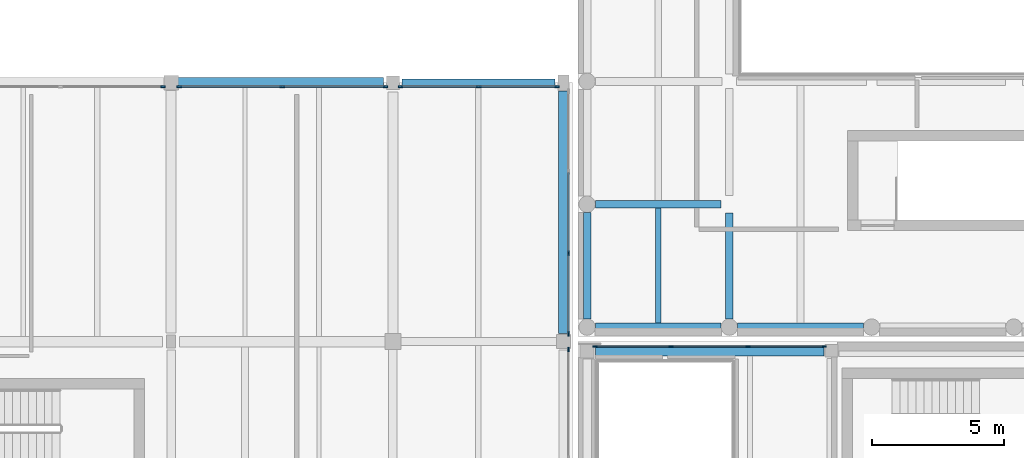
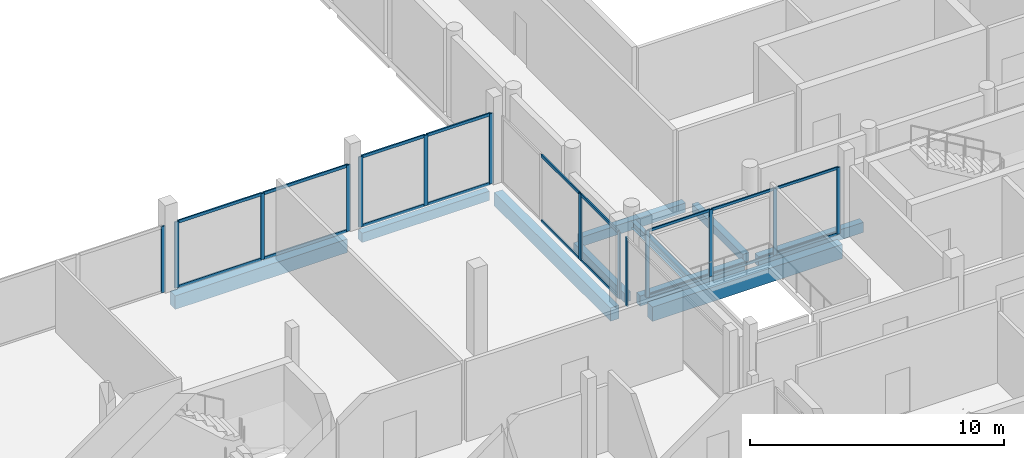
# One storey, part 10 of 66: 32 members, 10 beams, 6 elements without a shape of their own.
"""IFC4 building model written with IfcOpenShell, lengths in metres."""

from ifc_helpers import new_model, si_unit, direction, frame, origin, origin_2d, place, context, subcontext, project, spatial, rectangle, i_section, extrude, material, layer, layer_set, material_profile, profile_set, type_object, element, aggregate, save


model = new_model("IFC4")

# Units and contexts
model_context = context("Model", 3, precision=1e-05, world=origin(), true_north=direction((0.0, 1.0)))
body_context = subcontext(model_context, "Body", "Model", "MODEL_VIEW")
ifc_project = project(units=[si_unit("LENGTHUNIT", "METRE"), si_unit("AREAUNIT", "SQUARE_METRE"), si_unit("VOLUMEUNIT", "CUBIC_METRE"), si_unit("PLANEANGLEUNIT", "RADIAN"), si_unit("MASSUNIT", "GRAM", prefix="KILO")], contexts=[model_context])

# Site, building, storey
site_placement = place(None, origin())
site = spatial("IfcSite", under=ifc_project, at=site_placement, CompositionType="ELEMENT")
building_placement = place(site_placement, origin())
building = spatial("IfcBuilding", under=site, at=building_placement, Name="Birchvale Park Specialist Clinic", CompositionType="ELEMENT")
storey_placement = place(building_placement, frame((0.0, 0.0, 5.39990234375)))
storey = spatial("IfcBuildingStorey", under=building, at=storey_placement, Name="L01", CompositionType="ELEMENT", Elevation=5.39990234375)

# Beams
ifc_material_1 = material(Name="Concrete C40/50", Category="concrete")
ifc_material_profile_1 = material_profile(ifc_material_1, rectangle(XDim=0.39990234375, YDim=0.68994140625, at=origin_2d()), Name="RCB-400x690")
ifc_profile_set_1 = profile_set([ifc_material_profile_1], Name="Concrete C40/50")
beam_type_1 = type_object("IfcBeamType", Name="BM-EXT-BG4", PredefinedType="BEAM", material=ifc_profile_set_1)
beam_1_placement = place(storey_placement, frame((52.465087890625, 34.25, -0.625), z_axis=(1.0, 0.0, 0.0), x_axis=(0.0, 1.0, 0.0)))
element("IfcBeam", 1, at=beam_1_placement, inside=storey, type_object=beam_type_1, Name="V4 L01 X girder 14", PredefinedType="BEAM", context=body_context, shape_type="SweptSolid", body=[
    extrude(rectangle(XDim=0.39990234375, YDim=0.68994140625, at=origin_2d()), origin(), (0.0, 0.0, 1.0), 8.64501953125),
])
ifc_material_profile_2 = material_profile(ifc_material_1, rectangle(XDim=0.3798828125, YDim=0.639892578125, at=origin_2d()), Name="RCB-380x640")
ifc_profile_set_2 = profile_set([ifc_material_profile_2], Name="Concrete C40/50")
beam_type_2 = type_object("IfcBeamType", Name="BM-EXT-BG5", PredefinedType="BEAM", material=ifc_profile_set_2)
beam_2_placement = place(storey_placement, frame((51.25, 34.9150390625, -0.669921875), z_axis=(0.0, 1.0, 0.0), x_axis=(-1.0, 0.0, 0.0)))
element("IfcBeam", 2, at=beam_2_placement, inside=storey, type_object=beam_type_2, Name="V2 L01 Y girder 70", PredefinedType="BEAM", context=body_context, shape_type="SweptSolid", body=[
    extrude(rectangle(XDim=0.3798828125, YDim=0.639892578125, at=origin_2d()), origin(), (0.0, 0.0, 1.0), 9.169921875),
])
ifc_material_profile_3 = material_profile(ifc_material_1, rectangle(XDim=0.300048828125, YDim=0.489990234375, at=origin_2d()), Name="RCB-300x490")
ifc_profile_set_3 = profile_set([ifc_material_profile_3], Name="Concrete C40/50")
beam_type_3 = type_object("IfcBeamType", Name="BM-EXT-BG8", PredefinedType="BEAM", material=ifc_profile_set_3)
for number, where, z_axis, x_axis, name in (
    (3, (52.4599609375, 35.14990234375, -0.56494140625), (1.0, 0.0, 0.0), (0.0, 1.0, 0.0), "V1 L01 X girder 1"),
    (4, (57.845703125, 35.14990234375, -0.56494140625), (1.0, 0.0, 0.0), (0.0, 1.0, 0.0), "V1 L01 X girder 2"),
):
    element("IfcBeam", number, at=place(storey_placement, frame(where, z_axis=z_axis, x_axis=x_axis)), inside=storey, type_object=beam_type_3, Name=name, PredefinedType="BEAM", context=body_context, shape_type="SweptSolid", body=[
        extrude(rectangle(XDim=0.300048828125, YDim=0.489990234375, at=origin_2d()), origin(), (0.0, 0.0, 1.0), 4.765625),
    ])
ifc_material_profile_4 = material_profile(ifc_material_1, rectangle(XDim=0.280029296875, YDim=0.43994140625, at=origin_2d()), Name="RCB-280x440")
ifc_profile_set_4 = profile_set([ifc_material_profile_4], Name="Concrete C40/50")
beam_type_4 = type_object("IfcBeamType", Name="BM-EXT-BG9", PredefinedType="BEAM", material=ifc_profile_set_4)
beam_3_placement = place(storey_placement, frame((52.14990234375, 35.4599609375, -0.539794921875), z_axis=(0.0, 1.0, 0.0), x_axis=(-1.0, 0.0, 0.0)))
element("IfcBeam", 5, at=beam_3_placement, inside=storey, type_object=beam_type_4, Name="V1 L01 Y girder 29", PredefinedType="BEAM", context=body_context, shape_type="SweptSolid", body=[
    extrude(rectangle(XDim=0.280029296875, YDim=0.43994140625, at=origin_2d()), origin(), (0.0, 0.0, 1.0), 4.030029296875),
])
ifc_material_profile_5 = material_profile(ifc_material_1, rectangle(XDim=0.39990234375, YDim=0.64990234375, at=origin_2d()), Name="RCB-400x650")
ifc_profile_set_5 = profile_set([ifc_material_profile_5], Name="Concrete C40/50")
beam_type_5 = type_object("IfcBeamType", Name="BM-INT-BG4", PredefinedType="BEAM", material=ifc_profile_set_5)
beam_4_placement = place(storey_placement, frame((36.625, 44.39990234375, -0.6748046875), z_axis=(1.0, 0.0, 0.0), x_axis=(0.0, 1.0, 0.0)))
element("IfcBeam", 6, at=beam_4_placement, inside=storey, type_object=beam_type_5, Name="V2 L01 X girder 35", PredefinedType="BEAM", context=body_context, shape_type="SweptSolid", body=[
    extrude(rectangle(XDim=0.39990234375, YDim=0.64990234375, at=origin_2d()), origin(), (0.0, 0.0, 1.0), 7.824951171875),
])
ifc_material_profile_6 = material_profile(ifc_material_1, rectangle(XDim=0.300048828125, YDim=0.449951171875, at=origin_2d()), Name="RCB-300x450")
ifc_profile_set_6 = profile_set([ifc_material_profile_6], Name="Concrete C40/50")
beam_type_6 = type_object("IfcBeamType", Name="BM-INT-BG8", PredefinedType="BEAM", material=ifc_profile_set_6)
beam_5_placement = place(storey_placement, frame((52.4599609375, 39.800048828125, -0.544921875), z_axis=(1.0, 0.0, 0.0), x_axis=(0.0, 1.0, 0.0)))
element("IfcBeam", 7, at=beam_5_placement, inside=storey, type_object=beam_type_6, Name="V1 L01 X girder 8", PredefinedType="BEAM", context=body_context, shape_type="SweptSolid", body=[
    extrude(rectangle(XDim=0.300048828125, YDim=0.449951171875, at=origin_2d()), origin(), (0.0, 0.0, 1.0), 4.750732421875),
])
beam_6_placement = place(storey_placement, frame((45.14990234375, 44.39990234375, -0.574951171875), z_axis=(1.0, 0.0, 0.0), x_axis=(0.0, 1.0, 0.0)))
element("IfcBeam", 8, at=beam_6_placement, inside=storey, type_object=beam_type_6, Name="V2 L01 X girder 36", PredefinedType="BEAM", context=body_context, shape_type="SweptSolid", body=[
    extrude(rectangle(XDim=0.300048828125, YDim=0.449951171875, at=origin_2d()), origin(), (0.0, 0.0, 1.0), 5.78515625),
])
ifc_material_profile_7 = material_profile(ifc_material_1, rectangle(XDim=0.280029296875, YDim=0.39990234375, at=origin_2d()), Name="RCB-280x400")
ifc_profile_set_7 = profile_set([ifc_material_profile_7], Name="Concrete C40/50")
beam_type_7 = type_object("IfcBeamType", Name="BM-INT-BG9", PredefinedType="BEAM", material=ifc_profile_set_7)
beam_7_placement = place(storey_placement, frame((57.53564453125, 35.4599609375, -0.52001953125), z_axis=(0.0, 1.0, 0.0), x_axis=(-1.0, 0.0, 0.0)))
element("IfcBeam", 9, at=beam_7_placement, inside=storey, type_object=beam_type_7, Name="V1 L01 Y girder 35", PredefinedType="BEAM", context=body_context, shape_type="SweptSolid", body=[
    extrude(rectangle(XDim=0.280029296875, YDim=0.39990234375, at=origin_2d()), origin(), (0.0, 0.0, 1.0), 4.01513671875),
])

# Curtain wall, members
ifc_material_2 = material(Name="Thermally broken anodised aluminium", Category="aluminium")
ifc_layer_1 = layer(ifc_material_2, 0.179931640625)
ifc_layer_set_1 = layer_set([ifc_layer_1], Name="Thermally broken anodised aluminium")
curtain_wall_type_1 = type_object("IfcCurtainWallType", Name="CW-U1", PredefinedType="USERDEFINED", material=ifc_layer_set_1)
curtain_wall_1_placement = place(storey_placement, origin())
curtain_wall_1 = element("IfcCurtainWall", 10, at=curtain_wall_1_placement, inside=storey, type_object=curtain_wall_type_1, Name="V4 L01 glazed curtain wall 90", ObjectType="UNITISED", PredefinedType="USERDEFINED")
ifc_material_profile_8 = material_profile(ifc_material_2, rectangle(XDim=0.06005859375, YDim=0.159912109375, at=origin_2d()), Name="CWM-60x160")
ifc_profile_set_8 = profile_set([ifc_material_profile_8], Name="Thermally broken anodised aluminium")
member_type_1 = type_object("IfcMemberType", Name="CWM1", PredefinedType="MULLION", material=ifc_profile_set_8)
member_1_placement = place(storey_placement, frame((61.1298828125, 34.409912109375, 0.0), z_axis=(0.0, 0.0, 1.0), x_axis=(0.0, -1.0, 0.0)))
member_1 = element("IfcMember", 11, at=member_1_placement, type_object=member_type_1, Name="CW mullion 1", PredefinedType="MULLION", context=body_context, shape_type="SweptSolid", body=[
    extrude(rectangle(XDim=0.06005859375, YDim=0.159912109375, at=origin_2d()), origin(), (0.0, 0.0, 1.0), 3.215087890625),
])
member_2_placement = place(storey_placement, frame((58.2451171875, 34.409912109375, 0.0), z_axis=(0.0, 0.0, 1.0), x_axis=(0.0, -1.0, 0.0)))
member_2 = element("IfcMember", 12, at=member_2_placement, type_object=member_type_1, Name="CW mullion 2", PredefinedType="MULLION", context=body_context, shape_type="SweptSolid", body=[
    extrude(rectangle(XDim=0.06005859375, YDim=0.159912109375, at=origin_2d()), origin(), (0.0, 0.0, 1.0), 3.215087890625),
])
member_3_placement = place(storey_placement, frame((55.330078125, 34.409912109375, 0.0), z_axis=(0.0, 0.0, 1.0), x_axis=(0.0, -1.0, 0.0)))
member_3 = element("IfcMember", 13, at=member_3_placement, type_object=member_type_1, Name="CW mullion 3", PredefinedType="MULLION", context=body_context, shape_type="SweptSolid", body=[
    extrude(rectangle(XDim=0.06005859375, YDim=0.159912109375, at=origin_2d()), origin(), (0.0, 0.0, 1.0), 3.215087890625),
])
member_4_placement = place(storey_placement, frame((52.445068359375, 34.409912109375, 0.0), z_axis=(0.0, 0.0, 1.0), x_axis=(0.0, -1.0, 0.0)))
member_4 = element("IfcMember", 14, at=member_4_placement, type_object=member_type_1, Name="CW mullion 4", PredefinedType="MULLION", context=body_context, shape_type="SweptSolid", body=[
    extrude(rectangle(XDim=0.06005859375, YDim=0.159912109375, at=origin_2d()), origin(), (0.0, 0.0, 1.0), 3.215087890625),
])

# Curtain wall, member
ifc_layer_2 = layer(ifc_material_2, 0.195068359375)
ifc_layer_set_2 = layer_set([ifc_layer_2], Name="Thermally broken anodised aluminium")
curtain_wall_type_2 = type_object("IfcCurtainWallType", Name="CW-U2", PredefinedType="USERDEFINED", material=ifc_layer_set_2)
curtain_wall_2_placement = place(storey_placement, origin())
curtain_wall_2 = element("IfcCurtainWall", 15, at=curtain_wall_2_placement, inside=storey, type_object=curtain_wall_type_2, Name="V2 L01 glazed curtain wall 82", ObjectType="UNITISED", PredefinedType="USERDEFINED")
ifc_material_profile_9 = material_profile(ifc_material_2, rectangle(XDim=0.06494140625, YDim=0.179931640625, at=origin_2d()), Name="CWM-65x180")
ifc_profile_set_9 = profile_set([ifc_material_profile_9], Name="Thermally broken anodised aluminium")
member_type_2 = type_object("IfcMemberType", Name="CWM2", PredefinedType="MULLION", material=ifc_profile_set_9)
member_5_placement = place(storey_placement, frame((51.445068359375, 34.302490234375, 0.0), z_axis=(0.0, 0.0, 1.0), x_axis=(-1.0, 0.0, 0.0)))
member_5 = element("IfcMember", 16, at=member_5_placement, type_object=member_type_2, Name="CW mullion 3", PredefinedType="MULLION", context=body_context, shape_type="SweptSolid", body=[
    extrude(rectangle(XDim=0.06494140625, YDim=0.179931640625, at=origin_2d()), origin(), (0.0, 0.0, 1.0), 3.295166015625),
])
aggregate(curtain_wall_2, [member_5])

# Curtain wall, members
curtain_wall_3_placement = place(storey_placement, origin())
curtain_wall_3 = element("IfcCurtainWall", 17, at=curtain_wall_3_placement, inside=storey, type_object=curtain_wall_type_2, Name="V2 L01 glazed curtain wall 83", ObjectType="UNITISED", PredefinedType="USERDEFINED")
member_6_placement = place(storey_placement, frame((51.445068359375, 34.8974609375, 0.0), z_axis=(0.0, 0.0, 1.0), x_axis=(-1.0, 0.0, 0.0)))
member_6 = element("IfcMember", 18, at=member_6_placement, type_object=member_type_2, Name="CW mullion 1", PredefinedType="MULLION", context=body_context, shape_type="SweptSolid", body=[
    extrude(rectangle(XDim=0.06494140625, YDim=0.179931640625, at=origin_2d()), origin(), (0.0, 0.0, 1.0), 3.195068359375),
])
member_7_placement = place(storey_placement, frame((51.445068359375, 37.94677734375, 0.0), z_axis=(0.0, 0.0, 1.0), x_axis=(-1.0, 0.0, 0.0)))
member_7 = element("IfcMember", 19, at=member_7_placement, type_object=member_type_2, Name="CW mullion 2", PredefinedType="MULLION", context=body_context, shape_type="SweptSolid", body=[
    extrude(rectangle(XDim=0.06494140625, YDim=0.179931640625, at=origin_2d()), origin(), (0.0, 0.0, 1.0), 3.195068359375),
])

curtain_wall_4_placement = place(storey_placement, origin())
curtain_wall_4 = element("IfcCurtainWall", 20, at=curtain_wall_4_placement, inside=storey, type_object=curtain_wall_type_2, Name="V2 L01 glazed curtain wall 84", ObjectType="UNITISED", PredefinedType="USERDEFINED")
member_8_placement = place(storey_placement, frame((51.007568359375, 44.2451171875, 0.0), z_axis=(0.0, 0.0, 1.0), x_axis=(0.0, -1.0, 0.0)))
member_8 = element("IfcMember", 21, at=member_8_placement, type_object=member_type_2, Name="CW mullion 1", PredefinedType="MULLION", context=body_context, shape_type="SweptSolid", body=[
    extrude(rectangle(XDim=0.06494140625, YDim=0.179931640625, at=origin_2d()), origin(), (0.0, 0.0, 1.0), 3.385009765625),
])
member_9_placement = place(storey_placement, frame((48.044921875, 44.2451171875, 0.0), z_axis=(0.0, 0.0, 1.0), x_axis=(0.0, -1.0, 0.0)))
member_9 = element("IfcMember", 22, at=member_9_placement, type_object=member_type_2, Name="CW mullion 2", PredefinedType="MULLION", context=body_context, shape_type="SweptSolid", body=[
    extrude(rectangle(XDim=0.06494140625, YDim=0.179931640625, at=origin_2d()), origin(), (0.0, 0.0, 1.0), 3.385009765625),
])
member_10_placement = place(storey_placement, frame((45.08251953125, 44.2451171875, 0.0), z_axis=(0.0, 0.0, 1.0), x_axis=(0.0, -1.0, 0.0)))
member_10 = element("IfcMember", 23, at=member_10_placement, type_object=member_type_2, Name="CW mullion 3", PredefinedType="MULLION", context=body_context, shape_type="SweptSolid", body=[
    extrude(rectangle(XDim=0.06494140625, YDim=0.179931640625, at=origin_2d()), origin(), (0.0, 0.0, 1.0), 3.385009765625),
])

curtain_wall_5_placement = place(storey_placement, origin())
curtain_wall_5 = element("IfcCurtainWall", 24, at=curtain_wall_5_placement, inside=storey, type_object=curtain_wall_type_2, Name="V2 L01 glazed curtain wall 85", ObjectType="UNITISED", PredefinedType="USERDEFINED")
member_11_placement = place(storey_placement, frame((44.517578125, 44.2451171875, 0.0), z_axis=(0.0, 0.0, 1.0), x_axis=(0.0, -1.0, 0.0)))
member_11 = element("IfcMember", 25, at=member_11_placement, type_object=member_type_2, Name="CW mullion 1", PredefinedType="MULLION", context=body_context, shape_type="SweptSolid", body=[
    extrude(rectangle(XDim=0.06494140625, YDim=0.179931640625, at=origin_2d()), origin(), (0.0, 0.0, 1.0), 3.18505859375),
])
member_12_placement = place(storey_placement, frame((40.612548828125, 44.2451171875, 0.0), z_axis=(0.0, 0.0, 1.0), x_axis=(0.0, -1.0, 0.0)))
member_12 = element("IfcMember", 26, at=member_12_placement, type_object=member_type_2, Name="CW mullion 2", PredefinedType="MULLION", context=body_context, shape_type="SweptSolid", body=[
    extrude(rectangle(XDim=0.06494140625, YDim=0.179931640625, at=origin_2d()), origin(), (0.0, 0.0, 1.0), 3.18505859375),
])
member_13_placement = place(storey_placement, frame((36.70751953125, 44.2451171875, 0.0), z_axis=(0.0, 0.0, 1.0), x_axis=(0.0, -1.0, 0.0)))
member_13 = element("IfcMember", 27, at=member_13_placement, type_object=member_type_2, Name="CW mullion 3", PredefinedType="MULLION", context=body_context, shape_type="SweptSolid", body=[
    extrude(rectangle(XDim=0.06494140625, YDim=0.179931640625, at=origin_2d()), origin(), (0.0, 0.0, 1.0), 3.18505859375),
])

# Curtain wall, member
curtain_wall_6_placement = place(storey_placement, origin())
curtain_wall_6 = element("IfcCurtainWall", 28, at=curtain_wall_6_placement, inside=storey, type_object=curtain_wall_type_2, Name="V2 L01 glazed curtain wall 86", ObjectType="UNITISED", PredefinedType="USERDEFINED")
member_14_placement = place(storey_placement, frame((36.092529296875, 44.2451171875, 0.0), z_axis=(0.0, 0.0, 1.0), x_axis=(0.0, -1.0, 0.0)))
member_14 = element("IfcMember", 29, at=member_14_placement, type_object=member_type_2, Name="CW mullion 1", PredefinedType="MULLION", context=body_context, shape_type="SweptSolid", body=[
    extrude(rectangle(XDim=0.06494140625, YDim=0.179931640625, at=origin_2d()), origin(), (0.0, 0.0, 1.0), 3.18505859375),
])
aggregate(curtain_wall_6, [member_14])

# Member
ifc_material_profile_10 = material_profile(ifc_material_2, rectangle(XDim=0.06005859375, YDim=0.1201171875, at=origin_2d()), Name="CWT-60x120")
ifc_profile_set_10 = profile_set([ifc_material_profile_10], Name="Thermally broken anodised aluminium")
member_type_3 = type_object("IfcMemberType", Name="CWT1", PredefinedType="USERDEFINED", material=ifc_profile_set_10)
member_15_placement = place(storey_placement, frame((61.10009765625, 34.409912109375, 0.030029296875), z_axis=(-1.0, 0.0, 0.0), x_axis=(0.0, -1.0, 0.0)))
member_15 = element("IfcMember", 30, at=member_15_placement, type_object=member_type_3, Name="CW transom 1.1", ObjectType="TRANSOM", PredefinedType="USERDEFINED", context=body_context, shape_type="SweptSolid", body=[
    extrude(rectangle(XDim=0.06005859375, YDim=0.1201171875, at=origin_2d()), origin(), (0.0, 0.0, 1.0), 2.8251953125),
])

member_16_placement = place(storey_placement, frame((61.10009765625, 34.409912109375, 3.18505859375), z_axis=(-1.0, 0.0, 0.0), x_axis=(0.0, -1.0, 0.0)))
member_16 = element("IfcMember", 31, at=member_16_placement, type_object=member_type_3, Name="CW transom 1.2", ObjectType="TRANSOM", PredefinedType="USERDEFINED", context=body_context, shape_type="SweptSolid", body=[
    extrude(rectangle(XDim=0.06005859375, YDim=0.1201171875, at=origin_2d()), origin(), (0.0, 0.0, 1.0), 2.8251953125),
])

member_17_placement = place(storey_placement, frame((58.215087890625, 34.409912109375, 0.030029296875), z_axis=(-1.0, 0.0, 0.0), x_axis=(0.0, -1.0, 0.0)))
member_17 = element("IfcMember", 32, at=member_17_placement, type_object=member_type_3, Name="CW transom 2.1", ObjectType="TRANSOM", PredefinedType="USERDEFINED", context=body_context, shape_type="SweptSolid", body=[
    extrude(rectangle(XDim=0.06005859375, YDim=0.1201171875, at=origin_2d()), origin(), (0.0, 0.0, 1.0), 2.85498046875),
])

member_18_placement = place(storey_placement, frame((58.215087890625, 34.409912109375, 3.18505859375), z_axis=(-1.0, 0.0, 0.0), x_axis=(0.0, -1.0, 0.0)))
member_18 = element("IfcMember", 33, at=member_18_placement, type_object=member_type_3, Name="CW transom 2.2", ObjectType="TRANSOM", PredefinedType="USERDEFINED", context=body_context, shape_type="SweptSolid", body=[
    extrude(rectangle(XDim=0.06005859375, YDim=0.1201171875, at=origin_2d()), origin(), (0.0, 0.0, 1.0), 2.85498046875),
])

member_19_placement = place(storey_placement, frame((55.300048828125, 34.409912109375, 0.030029296875), z_axis=(-1.0, 0.0, 0.0), x_axis=(0.0, -1.0, 0.0)))
member_19 = element("IfcMember", 34, at=member_19_placement, type_object=member_type_3, Name="CW transom 3.1", ObjectType="TRANSOM", PredefinedType="USERDEFINED", context=body_context, shape_type="SweptSolid", body=[
    extrude(rectangle(XDim=0.06005859375, YDim=0.1201171875, at=origin_2d()), origin(), (0.0, 0.0, 1.0), 2.824951171875),
])

member_20_placement = place(storey_placement, frame((55.300048828125, 34.409912109375, 3.18505859375), z_axis=(-1.0, 0.0, 0.0), x_axis=(0.0, -1.0, 0.0)))
member_20 = element("IfcMember", 35, at=member_20_placement, type_object=member_type_3, Name="CW transom 3.2", ObjectType="TRANSOM", PredefinedType="USERDEFINED", context=body_context, shape_type="SweptSolid", body=[
    extrude(rectangle(XDim=0.06005859375, YDim=0.1201171875, at=origin_2d()), origin(), (0.0, 0.0, 1.0), 2.824951171875),
])

aggregate(curtain_wall_1, [member_1, member_2, member_3, member_4, member_15, member_16, member_17, member_18, member_19, member_20])

ifc_material_profile_11 = material_profile(ifc_material_2, rectangle(XDim=0.06494140625, YDim=0.139892578125, at=origin_2d()), Name="CWT-65x140")
ifc_profile_set_11 = profile_set([ifc_material_profile_11], Name="Thermally broken anodised aluminium")
member_type_4 = type_object("IfcMemberType", Name="CWT2", PredefinedType="USERDEFINED", material=ifc_profile_set_11)
member_21_placement = place(storey_placement, frame((51.445068359375, 34.929931640625, 0.03271484375), z_axis=(0.0, 1.0, 0.0), x_axis=(-1.0, 0.0, 0.0)))
member_21 = element("IfcMember", 36, at=member_21_placement, type_object=member_type_4, Name="CW transom 1.1", ObjectType="TRANSOM", PredefinedType="USERDEFINED", context=body_context, shape_type="SweptSolid", body=[
    extrude(rectangle(XDim=0.06494140625, YDim=0.139892578125, at=origin_2d()), origin(), (0.0, 0.0, 1.0), 2.984130859375),
])

member_22_placement = place(storey_placement, frame((51.445068359375, 34.929931640625, 3.16259765625), z_axis=(0.0, 1.0, 0.0), x_axis=(-1.0, 0.0, 0.0)))
member_22 = element("IfcMember", 37, at=member_22_placement, type_object=member_type_4, Name="CW transom 1.2", ObjectType="TRANSOM", PredefinedType="USERDEFINED", context=body_context, shape_type="SweptSolid", body=[
    extrude(rectangle(XDim=0.06494140625, YDim=0.139892578125, at=origin_2d()), origin(), (0.0, 0.0, 1.0), 2.984130859375),
])

member_23_placement = place(storey_placement, frame((51.445068359375, 37.979248046875, 0.03271484375), z_axis=(0.0, 1.0, 0.0), x_axis=(-1.0, 0.0, 0.0)))
member_23 = element("IfcMember", 38, at=member_23_placement, type_object=member_type_4, Name="CW transom 2.1", ObjectType="TRANSOM", PredefinedType="USERDEFINED", context=body_context, shape_type="SweptSolid", body=[
    extrude(rectangle(XDim=0.06494140625, YDim=0.139892578125, at=origin_2d()), origin(), (0.0, 0.0, 1.0), 3.0166015625),
])

member_24_placement = place(storey_placement, frame((51.445068359375, 37.979248046875, 3.16259765625), z_axis=(0.0, 1.0, 0.0), x_axis=(-1.0, 0.0, 0.0)))
member_24 = element("IfcMember", 39, at=member_24_placement, type_object=member_type_4, Name="CW transom 2.2", ObjectType="TRANSOM", PredefinedType="USERDEFINED", context=body_context, shape_type="SweptSolid", body=[
    extrude(rectangle(XDim=0.06494140625, YDim=0.139892578125, at=origin_2d()), origin(), (0.0, 0.0, 1.0), 3.0166015625),
])

aggregate(curtain_wall_3, [member_6, member_7, member_21, member_22, member_23, member_24])

member_25_placement = place(storey_placement, frame((50.97509765625, 44.2451171875, 0.03271484375), z_axis=(-1.0, 0.0, 0.0), x_axis=(0.0, -1.0, 0.0)))
member_25 = element("IfcMember", 40, at=member_25_placement, type_object=member_type_4, Name="CW transom 1.1", ObjectType="TRANSOM", PredefinedType="USERDEFINED", context=body_context, shape_type="SweptSolid", body=[
    extrude(rectangle(XDim=0.06494140625, YDim=0.139892578125, at=origin_2d()), origin(), (0.0, 0.0, 1.0), 2.897705078125),
])

member_26_placement = place(storey_placement, frame((50.97509765625, 44.2451171875, 3.3525390625), z_axis=(-1.0, 0.0, 0.0), x_axis=(0.0, -1.0, 0.0)))
member_26 = element("IfcMember", 41, at=member_26_placement, type_object=member_type_4, Name="CW transom 1.2", ObjectType="TRANSOM", PredefinedType="USERDEFINED", context=body_context, shape_type="SweptSolid", body=[
    extrude(rectangle(XDim=0.06494140625, YDim=0.139892578125, at=origin_2d()), origin(), (0.0, 0.0, 1.0), 2.897705078125),
])

member_27_placement = place(storey_placement, frame((48.012451171875, 44.2451171875, 0.03271484375), z_axis=(-1.0, 0.0, 0.0), x_axis=(0.0, -1.0, 0.0)))
member_27 = element("IfcMember", 42, at=member_27_placement, type_object=member_type_4, Name="CW transom 2.1", ObjectType="TRANSOM", PredefinedType="USERDEFINED", context=body_context, shape_type="SweptSolid", body=[
    extrude(rectangle(XDim=0.06494140625, YDim=0.139892578125, at=origin_2d()), origin(), (0.0, 0.0, 1.0), 2.8974609375),
])

member_28_placement = place(storey_placement, frame((48.012451171875, 44.2451171875, 3.3525390625), z_axis=(-1.0, 0.0, 0.0), x_axis=(0.0, -1.0, 0.0)))
member_28 = element("IfcMember", 43, at=member_28_placement, type_object=member_type_4, Name="CW transom 2.2", ObjectType="TRANSOM", PredefinedType="USERDEFINED", context=body_context, shape_type="SweptSolid", body=[
    extrude(rectangle(XDim=0.06494140625, YDim=0.139892578125, at=origin_2d()), origin(), (0.0, 0.0, 1.0), 2.8974609375),
])

aggregate(curtain_wall_4, [member_8, member_9, member_10, member_25, member_26, member_27, member_28])

member_29_placement = place(storey_placement, frame((44.485107421875, 44.2451171875, 0.03271484375), z_axis=(-1.0, 0.0, 0.0), x_axis=(0.0, -1.0, 0.0)))
member_29 = element("IfcMember", 44, at=member_29_placement, type_object=member_type_4, Name="CW transom 1.1", ObjectType="TRANSOM", PredefinedType="USERDEFINED", context=body_context, shape_type="SweptSolid", body=[
    extrude(rectangle(XDim=0.06494140625, YDim=0.139892578125, at=origin_2d()), origin(), (0.0, 0.0, 1.0), 3.840087890625),
])

member_30_placement = place(storey_placement, frame((44.485107421875, 44.2451171875, 3.152587890625), z_axis=(-1.0, 0.0, 0.0), x_axis=(0.0, -1.0, 0.0)))
member_30 = element("IfcMember", 45, at=member_30_placement, type_object=member_type_4, Name="CW transom 1.2", ObjectType="TRANSOM", PredefinedType="USERDEFINED", context=body_context, shape_type="SweptSolid", body=[
    extrude(rectangle(XDim=0.06494140625, YDim=0.139892578125, at=origin_2d()), origin(), (0.0, 0.0, 1.0), 3.840087890625),
])

member_31_placement = place(storey_placement, frame((40.580078125, 44.2451171875, 0.03271484375), z_axis=(-1.0, 0.0, 0.0), x_axis=(0.0, -1.0, 0.0)))
member_31 = element("IfcMember", 46, at=member_31_placement, type_object=member_type_4, Name="CW transom 2.1", ObjectType="TRANSOM", PredefinedType="USERDEFINED", context=body_context, shape_type="SweptSolid", body=[
    extrude(rectangle(XDim=0.06494140625, YDim=0.139892578125, at=origin_2d()), origin(), (0.0, 0.0, 1.0), 3.840087890625),
])

member_32_placement = place(storey_placement, frame((40.580078125, 44.2451171875, 3.152587890625), z_axis=(-1.0, 0.0, 0.0), x_axis=(0.0, -1.0, 0.0)))
member_32 = element("IfcMember", 47, at=member_32_placement, type_object=member_type_4, Name="CW transom 2.2", ObjectType="TRANSOM", PredefinedType="USERDEFINED", context=body_context, shape_type="SweptSolid", body=[
    extrude(rectangle(XDim=0.06494140625, YDim=0.139892578125, at=origin_2d()), origin(), (0.0, 0.0, 1.0), 3.840087890625),
])

aggregate(curtain_wall_5, [member_11, member_12, member_13, member_29, member_30, member_31, member_32])

# Beam
ifc_material_3 = material(Name="Steel ASTM A992 Grade 50", Category="steel")
ifc_material_profile_12 = material_profile(ifc_material_3, i_section(OverallWidth=0.2041015625, OverallDepth=0.35107421875, WebThickness=0.008544921875, FlangeThickness=0.01513671875, at=origin_2d()), Name="W14X48")
ifc_profile_set_12 = profile_set([ifc_material_profile_12], Name="Steel ASTM A992 Grade 50")
beam_type_8 = type_object("IfcBeamType", Name="STL-INT-SJ1", PredefinedType="JOIST", material=ifc_profile_set_12)
beam_8_placement = place(storey_placement, frame((54.8427734375, 35.300048828125, -0.495361328125), z_axis=(0.0, 1.0, 0.0), x_axis=(-1.0, 0.0, 0.0)))
element("IfcBeam", 48, at=beam_8_placement, inside=storey, type_object=beam_type_8, Name="V1 L01 secondary floor joist 1", PredefinedType="JOIST", context=body_context, shape_type="SweptSolid", body=[
    extrude(i_section(OverallWidth=0.2041015625, OverallDepth=0.35107421875, WebThickness=0.008544921875, FlangeThickness=0.01513671875, at=origin_2d()), origin(), (0.0, 0.0, 1.0), 4.349853515625),
])

save(model, "model.ifc")
